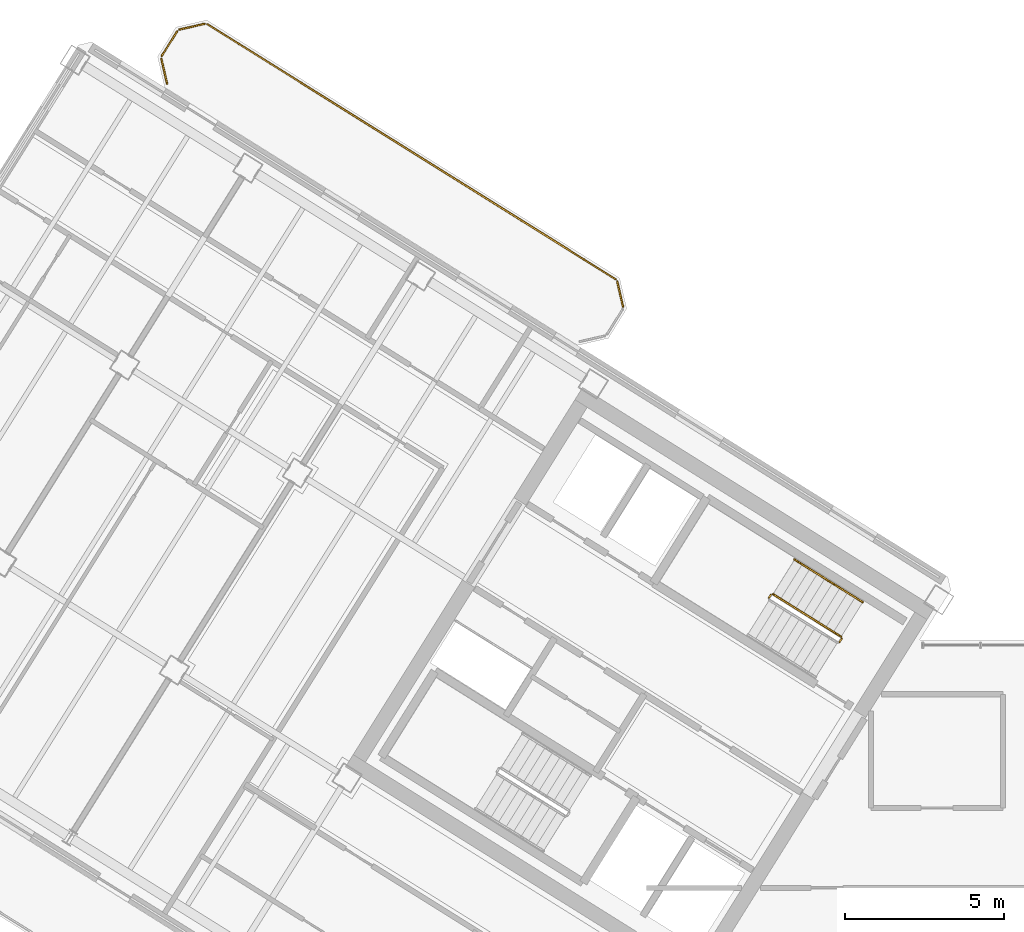
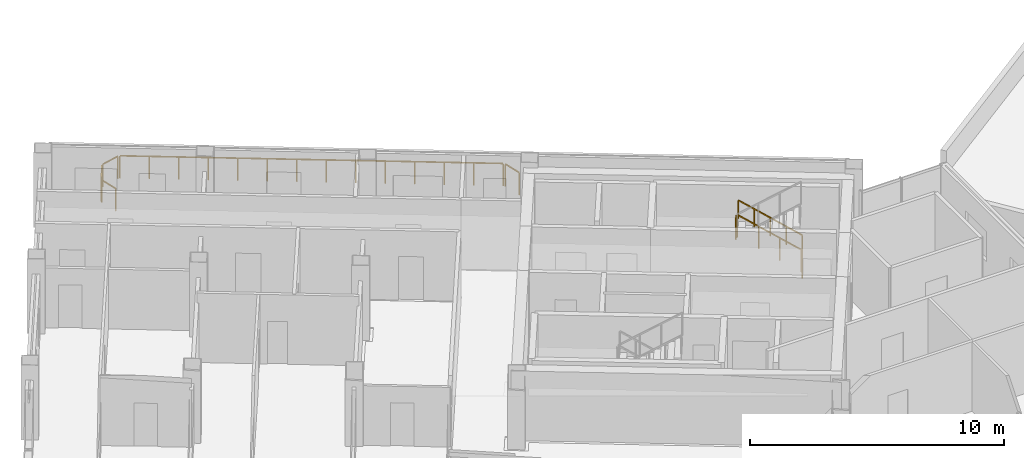
# One storey, part 14 of 14: 10 railings.
"""IFC4 building model written with IfcOpenShell, lengths in metres."""

from ifc_helpers import new_model, si_unit, direction, frame, origin, origin_2d, place, context, subcontext, project, spatial, rectangle, extrude, source, transform, mapped, material, type_object, element, save


model = new_model("IFC4")

# Units and contexts
model_context = context("Model", 3, precision=1e-05, world=origin(), true_north=direction((0.0, 1.0)))
body_context = subcontext(model_context, "Body", "Model", "MODEL_VIEW")
ifc_project = project(units=[si_unit("LENGTHUNIT", "METRE"), si_unit("AREAUNIT", "SQUARE_METRE"), si_unit("VOLUMEUNIT", "CUBIC_METRE"), si_unit("PLANEANGLEUNIT", "RADIAN"), si_unit("MASSUNIT", "GRAM", prefix="KILO")], contexts=[model_context])

# Site, building, storey
site_placement = place(None, origin())
site = spatial("IfcSite", under=ifc_project, at=site_placement, CompositionType="ELEMENT")
building_placement = place(site_placement, origin())
building = spatial("IfcBuilding", under=site, at=building_placement, Name="Tlacorven Tower", CompositionType="ELEMENT")
storey_placement = place(building_placement, frame((0.0, 0.0, 262.800048828125)))
storey = spatial("IfcBuildingStorey", under=building, at=storey_placement, Name="L66", CompositionType="ELEMENT", Elevation=262.800048828125)

# Railings
ifc_material = material(Name="Aluminium and painted steel balustrade", Category="steel")
railing_type_1 = type_object("IfcRailingType", Name="RL-BAL-1100", PredefinedType="BALUSTRADE", material=ifc_material)
shared_shape_1 = source(origin(), body_context, "Body", "SweptSolid", [
    extrude(rectangle(XDim=0.048095703125, YDim=0.048095703125, at=origin_2d()), frame((0.0, 0.0, 1.076171875), z_axis=(0.225058334816, -0.974345290916, 0.0), x_axis=(0.974345290916, 0.225058334816, 0.0)), (0.0, 0.0, 1.0), 0.80712890625),
    extrude(rectangle(XDim=0.0419921875, YDim=0.0419921875, at=origin_2d()), origin(), (0.0, 0.0, 1.0), 1.052001953125),
    extrude(rectangle(XDim=0.0419921875, YDim=0.0419921875, at=origin_2d()), frame((0.181640625, -0.786376953125, 0.0)), (0.0, 0.0, 1.0), 1.052001953125),
])
railing_1_placement = place(storey_placement, frame((30.6796875, 34.466064453125, 0.0)))
element("IfcRailing", 1, at=railing_1_placement, inside=storey, type_object=railing_type_1, Name="BAL-L66-W-IN Guard Railing 1", PredefinedType="BALUSTRADE", context=body_context, shape_type="MappedRepresentation", body=[
    mapped(shared_shape_1, transform((0.0, 0.0, 0.0), scale=1.0)),
])
shared_shape_2 = source(origin(), body_context, "Body", "SweptSolid", [
    extrude(rectangle(XDim=0.048095703125, YDim=0.048095703125, at=origin_2d()), frame((0.0, 0.0, 1.076171875), z_axis=(-0.225058334816, 0.974345290916, 0.0), x_axis=(-0.974345290916, -0.225058334816, 0.0)), (0.0, 0.0, 1.0), 0.80712890625),
    extrude(rectangle(XDim=0.0419921875, YDim=0.0419921875, at=origin_2d()), origin(), (0.0, 0.0, 1.0), 1.052001953125),
    extrude(rectangle(XDim=0.0419921875, YDim=0.0419921875, at=origin_2d()), frame((-0.181640625, 0.786376953125, 0.0)), (0.0, 0.0, 1.0), 1.052001953125),
])
railing_2_placement = place(storey_placement, frame((16.5361328125, 40.68115234375, 0.0)))
element("IfcRailing", 2, at=railing_2_placement, inside=storey, type_object=railing_type_1, Name="BAL-L66-W-IN Guard Railing 4", PredefinedType="BALUSTRADE", context=body_context, shape_type="MappedRepresentation", body=[
    mapped(shared_shape_2, transform((0.0, 0.0, 0.0), scale=1.0)),
])
shared_shape_3 = source(origin(), body_context, "Body", "SweptSolid", [
    extrude(rectangle(XDim=0.048095703125, YDim=0.048095703125, at=origin_2d()), frame((0.0, 0.0, 1.076171875), z_axis=(0.52987865805, 0.848073468364, 0.0), x_axis=(-0.848073468364, 0.52987865805, 0.0)), (0.0, 0.0, 1.0), 0.912353515625),
    extrude(rectangle(XDim=0.0419921875, YDim=0.0419921875, at=origin_2d()), origin(), (0.0, 0.0, 1.0), 1.052001953125),
    extrude(rectangle(XDim=0.0419921875, YDim=0.0419921875, at=origin_2d()), frame((0.4833984375, 0.773681640625, 0.0)), (0.0, 0.0, 1.0), 1.052001953125),
])
railing_3_placement = place(storey_placement, frame((16.369873046875, 41.55859375, 0.0)))
element("IfcRailing", 3, at=railing_3_placement, inside=storey, type_object=railing_type_1, Name="BAL-L66-W-IN Guard Railing 5", PredefinedType="BALUSTRADE", context=body_context, shape_type="MappedRepresentation", body=[
    mapped(shared_shape_3, transform((0.0, 0.0, 0.0), scale=1.0)),
])
shared_shape_4 = source(origin(), body_context, "Body", "SweptSolid", [
    extrude(rectangle(XDim=0.048095703125, YDim=0.048095703125, at=origin_2d()), frame((0.0, 0.0, 1.076171875), z_axis=(0.974411586182, 0.224771129628, 0.0), x_axis=(-0.224771129628, 0.974411586182, 0.0)), (0.0, 0.0, 1.0), 0.80712890625),
    extrude(rectangle(XDim=0.0419921875, YDim=0.0419921875, at=origin_2d()), origin(), (0.0, 0.0, 1.0), 1.052001953125),
    extrude(rectangle(XDim=0.0419921875, YDim=0.0419921875, at=origin_2d()), frame((0.786376953125, 0.181396484375, 0.0)), (0.0, 0.0, 1.0), 1.052001953125),
])
railing_4_placement = place(storey_placement, frame((16.928466796875, 42.385986328125, 0.0)))
element("IfcRailing", 4, at=railing_4_placement, inside=storey, type_object=railing_type_1, Name="BAL-L66-W-IN Guard Railing 6", PredefinedType="BALUSTRADE", context=body_context, shape_type="MappedRepresentation", body=[
    mapped(shared_shape_4, transform((0.0, 0.0, 0.0), scale=1.0)),
])
shared_shape_5 = source(origin(), body_context, "Body", "SweptSolid", [
    extrude(rectangle(XDim=0.048095703125, YDim=0.048095703125, at=origin_2d()), frame((0.0, 0.0, 1.076171875), z_axis=(0.848044572804, -0.529924902733, 0.0), x_axis=(0.529924902733, 0.848044572804, 0.0)), (0.0, 0.0, 1.0), 15.1171875),
    extrude(rectangle(XDim=0.0419921875, YDim=0.0419921875, at=origin_2d()), origin(), (0.0, 0.0, 1.0), 1.052001953125),
    extrude(rectangle(XDim=0.0419921875, YDim=0.0419921875, at=origin_2d()), frame((0.986083984375, -0.6162109375, 0.0)), (0.0, 0.0, 1.0), 1.052001953125),
    extrude(rectangle(XDim=0.0419921875, YDim=0.0419921875, at=origin_2d()), frame((1.972412109375, -1.232421875, 0.0)), (0.0, 0.0, 1.0), 1.052001953125),
    extrude(rectangle(XDim=0.0419921875, YDim=0.0419921875, at=origin_2d()), frame((2.95849609375, -1.8486328125, 0.0)), (0.0, 0.0, 1.0), 1.052001953125),
    extrude(rectangle(XDim=0.0419921875, YDim=0.0419921875, at=origin_2d()), frame((3.944580078125, -2.46484375, 0.0)), (0.0, 0.0, 1.0), 1.052001953125),
    extrude(rectangle(XDim=0.0419921875, YDim=0.0419921875, at=origin_2d()), frame((4.930908203125, -3.0810546875, 0.0)), (0.0, 0.0, 1.0), 1.052001953125),
    extrude(rectangle(XDim=0.0419921875, YDim=0.0419921875, at=origin_2d()), frame((5.9169921875, -3.697265625, 0.0)), (0.0, 0.0, 1.0), 1.052001953125),
    extrude(rectangle(XDim=0.0419921875, YDim=0.0419921875, at=origin_2d()), frame((6.903076171875, -4.313720703125, 0.0)), (0.0, 0.0, 1.0), 1.052001953125),
    extrude(rectangle(XDim=0.0419921875, YDim=0.0419921875, at=origin_2d()), frame((7.88916015625, -4.929931640625, 0.0)), (0.0, 0.0, 1.0), 1.052001953125),
    extrude(rectangle(XDim=0.0419921875, YDim=0.0419921875, at=origin_2d()), frame((8.87548828125, -5.546142578125, 0.0)), (0.0, 0.0, 1.0), 1.052001953125),
    extrude(rectangle(XDim=0.0419921875, YDim=0.0419921875, at=origin_2d()), frame((9.861572265625, -6.162353515625, 0.0)), (0.0, 0.0, 1.0), 1.052001953125),
    extrude(rectangle(XDim=0.0419921875, YDim=0.0419921875, at=origin_2d()), frame((10.84765625, -6.778564453125, 0.0)), (0.0, 0.0, 1.0), 1.052001953125),
    extrude(rectangle(XDim=0.0419921875, YDim=0.0419921875, at=origin_2d()), frame((11.833984375, -7.394775390625, 0.0)), (0.0, 0.0, 1.0), 1.052001953125),
    extrude(rectangle(XDim=0.0419921875, YDim=0.0419921875, at=origin_2d()), frame((12.820068359375, -8.010986328125, 0.0)), (0.0, 0.0, 1.0), 1.052001953125),
])
railing_5_placement = place(storey_placement, frame((17.805908203125, 42.55224609375, 0.0)))
element("IfcRailing", 5, at=railing_5_placement, inside=storey, type_object=railing_type_1, Name="BAL-L66-W-IN Guard Railing 7", PredefinedType="BALUSTRADE", context=body_context, shape_type="MappedRepresentation", body=[
    mapped(shared_shape_5, transform((0.0, 0.0, 0.0), scale=1.0)),
])
railing_type_2 = type_object("IfcRailingType", Name="RL-GRD-1100", PredefinedType="GUARDRAIL", material=ifc_material)
shared_shape_6 = source(origin(), body_context, "Body", "SweptSolid", [
    extrude(rectangle(XDim=0.048095703125, YDim=0.048095703125, at=origin_2d()), frame((0.0, 0.0, 1.076171875), z_axis=(-0.713319727316, 0.445773895627, 0.540796265334), x_axis=(-0.529955395941, -0.84802551749, 0.0)), (0.0, 0.0, 1.0), 2.995849609375),
    extrude(rectangle(XDim=0.0419921875, YDim=0.0419921875, at=origin_2d()), origin(), (0.0, 0.0, 1.0), 1.052001953125),
    extrude(rectangle(XDim=0.0419921875, YDim=0.0419921875, at=origin_2d()), frame((-0.71240234375, 0.445068359375, 0.5400390625)), (0.0, 0.0, 1.0), 1.052001953125),
    extrude(rectangle(XDim=0.0419921875, YDim=0.0419921875, at=origin_2d()), frame((-1.424560546875, 0.890380859375, 1.080078125)), (0.0, 0.0, 1.0), 1.052001953125),
    extrude(rectangle(XDim=0.0419921875, YDim=0.0419921875, at=origin_2d()), frame((-2.136962890625, 1.33544921875, 1.6201171875)), (0.0, 0.0, 1.0), 1.052001953125),
])
railing_6_placement = place(storey_placement, frame((37.712158203125, 23.3095703125, 0.179931640625)))
element("IfcRailing", 6, at=railing_6_placement, inside=storey, type_object=railing_type_2, Name="L66 ST-W2 stair guard 1", PredefinedType="GUARDRAIL", context=body_context, shape_type="MappedRepresentation", body=[
    mapped(shared_shape_6, transform((0.0, 0.0, 0.0), scale=1.0)),
])
shared_shape_7 = source(origin(), body_context, "Body", "SweptSolid", [
    extrude(rectangle(XDim=0.048095703125, YDim=0.048095703125, at=origin_2d()), frame((0.0, 0.0, 1.076171875), z_axis=(-0.530546985787, -0.847655529016, 0.0), x_axis=(0.847655529016, -0.530546985787, 0.0)), (0.0, 0.0, 1.0), 0.1201171875),
    extrude(rectangle(XDim=0.0419921875, YDim=0.0419921875, at=origin_2d()), origin(), (0.0, 0.0, 1.0), 1.052001953125),
    extrude(rectangle(XDim=0.0419921875, YDim=0.0419921875, at=origin_2d()), frame((-0.063720703125, -0.101806640625, 0.0)), (0.0, 0.0, 1.0), 1.052001953125),
])
railing_7_placement = place(storey_placement, frame((37.728271484375, 23.24072265625, 0.0)))
element("IfcRailing", 7, at=railing_7_placement, inside=storey, type_object=railing_type_2, Name="L66 ST-W2 stair guard 4", PredefinedType="GUARDRAIL", context=body_context, shape_type="MappedRepresentation", body=[
    mapped(shared_shape_7, transform((0.0, 0.0, 0.0), scale=1.0)),
])
railing_type_3 = type_object("IfcRailingType", Name="RL-HND-0900", PredefinedType="HANDRAIL", material=ifc_material)
shared_shape_8 = source(origin(), body_context, "Body", "SweptSolid", [
    extrude(rectangle(XDim=0.048095703125, YDim=0.048095703125, at=origin_2d()), frame((0.0, 0.0, 0.8759765625), z_axis=(-0.713359751793, 0.4457479829, 0.540764828981), x_axis=(-0.529911857636, -0.848052724267, 0.0)), (0.0, 0.0, 1.0), 1.498046875),
    extrude(rectangle(XDim=0.0419921875, YDim=0.0419921875, at=origin_2d()), origin(), (0.0, 0.0, 1.0), 0.851806640625),
    extrude(rectangle(XDim=0.0419921875, YDim=0.0419921875, at=origin_2d()), frame((-0.5341796875, 0.333984375, 0.405029296875)), (0.0, 0.0, 1.0), 0.851806640625),
    extrude(rectangle(XDim=0.0419921875, YDim=0.0419921875, at=origin_2d()), frame((-1.068603515625, 0.667724609375, 0.81005859375)), (0.0, 0.0, 1.0), 0.851806640625),
])
for number, where, name in (
    (8, (38.390625, 24.39501953125, 0.179931640625), "L66 ST-W2 stair handrail 1"),
    (9, (37.322021484375, 25.062744140625, 0.989990234375), "L66 ST-W2 stair handrail 2"),
):
    element("IfcRailing", number, at=place(storey_placement, frame(where)), inside=storey, type_object=railing_type_3, Name=name, PredefinedType="HANDRAIL", context=body_context, shape_type="MappedRepresentation", body=[
        mapped(shared_shape_8, transform((0.0, 0.0, 0.0), scale=1.0)),
    ])
shared_shape_9 = source(origin(), body_context, "Body", "SweptSolid", [
    extrude(rectangle(XDim=0.048095703125, YDim=0.048095703125, at=origin_2d()), frame((0.0, 0.0, 1.076171875), z_axis=(-0.531462422766, -0.847081869236, 0.0), x_axis=(0.847081869236, -0.531462422766, 0.0)), (0.0, 0.0, 1.0), 0.119873046875),
    extrude(rectangle(XDim=0.0419921875, YDim=0.0419921875, at=origin_2d()), origin(), (0.0, 0.0, 1.0), 1.052001953125),
    extrude(rectangle(XDim=0.0419921875, YDim=0.0419921875, at=origin_2d()), frame((-0.063720703125, -0.1015625, 0.0)), (0.0, 0.0, 1.0), 1.052001953125),
])
railing_8_placement = place(storey_placement, frame((35.50634765625, 24.62890625, 1.800048828125)))
element("IfcRailing", 10, at=railing_8_placement, inside=storey, type_object=railing_type_2, Name="L66 ST-W2 stair guard 2", PredefinedType="GUARDRAIL", context=body_context, shape_type="MappedRepresentation", body=[
    mapped(shared_shape_9, transform((0.0, 0.0, 0.0), scale=1.0)),
])

save(model, "model.ifc")
